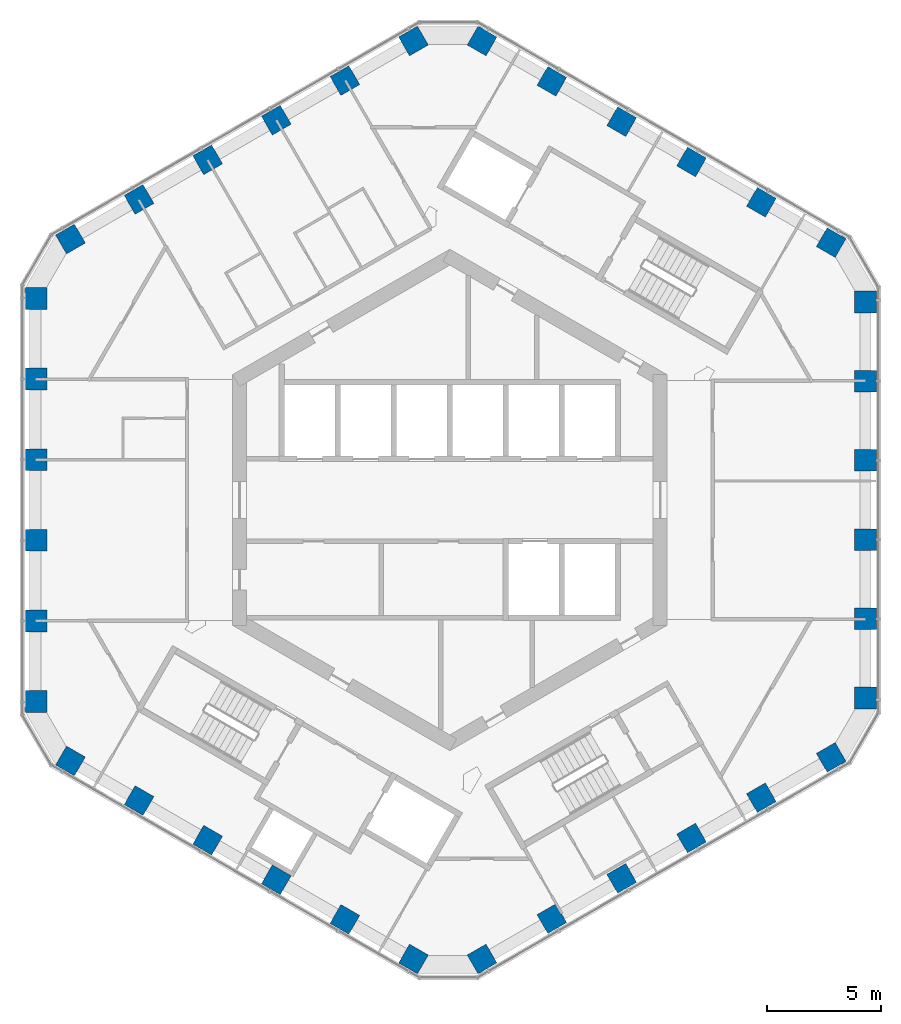
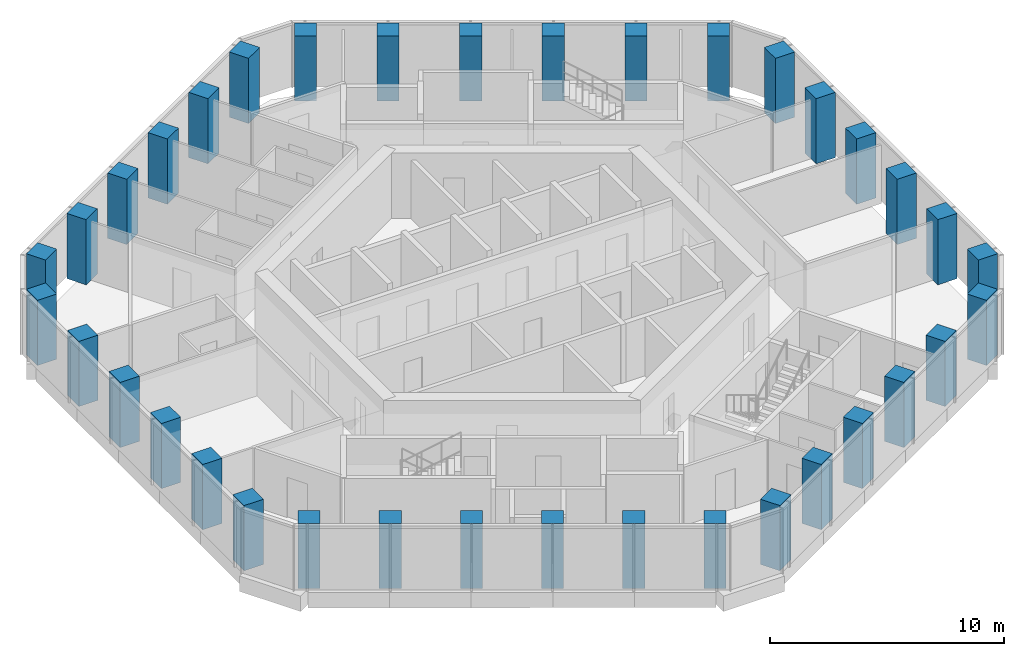
# One storey, part 1 of 19: 36 columns.
"""IFC4 building model written with IfcOpenShell, lengths in metres."""

from ifc_helpers import new_model, si_unit, direction, frame, origin, origin_2d, place, context, subcontext, project, spatial, rectangle, extrude, material, material_profile, profile_set, type_object, element, save


model = new_model("IFC4")

# Units and contexts
model_context = context("Model", 3, precision=1e-05, world=origin(), true_north=direction((0.0, 1.0)))
body_context = subcontext(model_context, "Body", "Model", "MODEL_VIEW")
ifc_project = project(units=[si_unit("LENGTHUNIT", "METRE"), si_unit("AREAUNIT", "SQUARE_METRE"), si_unit("VOLUMEUNIT", "CUBIC_METRE"), si_unit("PLANEANGLEUNIT", "RADIAN"), si_unit("MASSUNIT", "GRAM", prefix="KILO")], contexts=[model_context])

# Site, building, storey
site_placement = place(None, origin())
site = spatial("IfcSite", under=ifc_project, at=site_placement, CompositionType="ELEMENT")
building_placement = place(site_placement, origin())
building = spatial("IfcBuilding", under=site, at=building_placement, Name="Ayvan Gate Tower", CompositionType="ELEMENT")
storey_placement = place(building_placement, frame((0.0, 0.0, 156.10009765625)))
storey = spatial("IfcBuildingStorey", under=building, at=storey_placement, Name="L41", CompositionType="ELEMENT", Elevation=156.10009765625)

# Columns
ifc_material = material(Name="Concrete C55/67", Category="concrete")
ifc_material_profile = material_profile(ifc_material, rectangle(XDim=0.949951171875, YDim=0.949951171875, at=origin_2d()), Name="RC 950x950")
ifc_profile_set = profile_set([ifc_material_profile], Name="Concrete C55/67")
column_type = type_object("IfcColumnType", Name="Tube column RC 950x950 C55/67", PredefinedType="COLUMN", material=ifc_profile_set)
for number, where, z_axis, x_axis, name in (
    (1, (18.1865234375, -8.6650390625, 0.0), (0.0, 0.0, 1.0), (1.0, 0.0, 0.0), "C-T0-0-L41"),
    (2, (18.1865234375, -5.198974609375, 0.0), (0.0, 0.0, 1.0), (1.0, 0.0, 0.0), "C-T0-1-L41"),
    (3, (18.1865234375, -1.73291015625, 0.0), (0.0, 0.0, 1.0), (1.0, 0.0, 0.0), "C-T0-2-L41"),
    (4, (18.1865234375, 1.73291015625, 0.0), (0.0, 0.0, 1.0), (1.0, 0.0, 0.0), "C-T0-3-L41"),
    (5, (18.1865234375, 5.198974609375, 0.0), (0.0, 0.0, 1.0), (1.0, 0.0, 0.0), "C-T0-4-L41"),
    (6, (18.1865234375, 8.6650390625, 0.0), (0.0, 0.0, 1.0), (1.0, 0.0, 0.0), "C-T0-5-L41"),
    (7, (16.6865234375, 11.26318359375, 0.0), (0.0, 0.0, 1.0), (0.5, 0.866025403784, 0.0), "C-T1-0-L41"),
    (8, (13.63134765625, 13.027099609375, 0.0), (0.0, 0.0, 1.0), (0.5, 0.866025403784, 0.0), "C-T1-1-L41"),
    (9, (10.576416015625, 14.791015625, 0.0), (0.0, 0.0, 1.0), (0.5, 0.866025403784, 0.0), "C-T1-2-L41"),
    (10, (7.521240234375, 16.554931640625, 0.0), (0.0, 0.0, 1.0), (0.5, 0.866025403784, 0.0), "C-T1-3-L41"),
    (11, (4.466064453125, 18.318603515625, 0.0), (0.0, 0.0, 1.0), (0.5, 0.866025403784, 0.0), "C-T1-4-L41"),
    (12, (1.410888671875, 20.08251953125, 0.0), (0.0, 0.0, 1.0), (0.5, 0.866025403784, 0.0), "C-T1-5-L41"),
    (13, (-1.589111328125, 20.08251953125, 0.0), (0.0, 0.0, 1.0), (-0.5, 0.866025403784, 0.0), "C-T2-0-L41"),
    (14, (-4.5908203125, 18.349609375, 0.0), (0.0, 0.0, 1.0), (-0.5, 0.866025403784, 0.0), "C-T2-1-L41"),
    (15, (-7.592529296875, 16.616455078125, 0.0), (0.0, 0.0, 1.0), (-0.5, 0.866025403784, 0.0), "C-T2-2-L41"),
    (16, (-10.593994140625, 14.883544921875, 0.0), (0.0, 0.0, 1.0), (-0.5, 0.866025403784, 0.0), "C-T2-3-L41"),
    (17, (-13.595703125, 13.150390625, 0.0), (0.0, 0.0, 1.0), (-0.5, 0.866025403784, 0.0), "C-T2-4-L41"),
    (18, (-16.597412109375, 11.41748046875, 0.0), (0.0, 0.0, 1.0), (-0.5, 0.866025403784, 0.0), "C-T2-5-L41"),
    (19, (-18.097412109375, 8.8193359375, 0.0), (0.0, 0.0, 1.0), (-1.0, 0.0, 0.0), "C-T3-0-L41"),
    (20, (-18.097412109375, 5.29150390625, 0.0), (0.0, 0.0, 1.0), (-1.0, 0.0, 0.0), "C-T3-1-L41"),
    (21, (-18.097412109375, 1.763916015625, 0.0), (0.0, 0.0, 1.0), (-1.0, 0.0, 0.0), "C-T3-2-L41"),
    (22, (-18.097412109375, -1.763916015625, 0.0), (0.0, 0.0, 1.0), (-1.0, 0.0, 0.0), "C-T3-3-L41"),
    (23, (-18.097412109375, -5.29150390625, 0.0), (0.0, 0.0, 1.0), (-1.0, 0.0, 0.0), "C-T3-4-L41"),
    (24, (-18.097412109375, -8.8193359375, 0.0), (0.0, 0.0, 1.0), (-1.0, 0.0, 0.0), "C-T3-5-L41"),
    (25, (-16.597412109375, -11.41748046875, 0.0), (0.0, 0.0, 1.0), (-0.5, -0.866025403784, 0.0), "C-T4-0-L41"),
    (26, (-13.595703125, -13.150390625, 0.0), (0.0, 0.0, 1.0), (-0.5, -0.866025403784, 0.0), "C-T4-1-L41"),
    (27, (-10.593994140625, -14.883544921875, 0.0), (0.0, 0.0, 1.0), (-0.5, -0.866025403784, 0.0), "C-T4-2-L41"),
    (28, (-7.592529296875, -16.616455078125, 0.0), (0.0, 0.0, 1.0), (-0.5, -0.866025403784, 0.0), "C-T4-3-L41"),
    (29, (-4.5908203125, -18.349609375, 0.0), (0.0, 0.0, 1.0), (-0.5, -0.866025403784, 0.0), "C-T4-4-L41"),
    (30, (-1.589111328125, -20.08251953125, 0.0), (0.0, 0.0, 1.0), (-0.5, -0.866025403784, 0.0), "C-T4-5-L41"),
    (31, (1.410888671875, -20.08251953125, 0.0), (0.0, 0.0, 1.0), (0.5, -0.866025403784, 0.0), "C-T5-0-L41"),
    (32, (4.466064453125, -18.318603515625, 0.0), (0.0, 0.0, 1.0), (0.5, -0.866025403784, 0.0), "C-T5-1-L41"),
    (33, (7.521240234375, -16.554931640625, 0.0), (0.0, 0.0, 1.0), (0.5, -0.866025403784, 0.0), "C-T5-2-L41"),
    (34, (10.576416015625, -14.791015625, 0.0), (0.0, 0.0, 1.0), (0.5, -0.866025403784, 0.0), "C-T5-3-L41"),
    (35, (13.63134765625, -13.027099609375, 0.0), (0.0, 0.0, 1.0), (0.5, -0.866025403784, 0.0), "C-T5-4-L41"),
    (36, (16.6865234375, -11.26318359375, 0.0), (0.0, 0.0, 1.0), (0.5, -0.866025403784, 0.0), "C-T5-5-L41"),
):
    element("IfcColumn", number, at=place(storey_placement, frame(where, z_axis=z_axis, x_axis=x_axis)), inside=storey, type_object=column_type, Name=name, PredefinedType="COLUMN", context=body_context, shape_type="SweptSolid", body=[
        extrude(rectangle(XDim=0.949951171875, YDim=0.949951171875, at=origin_2d()), origin(), (0.0, 0.0, 1.0), 3.39990234375),
    ])

save(model, "model.ifc")
